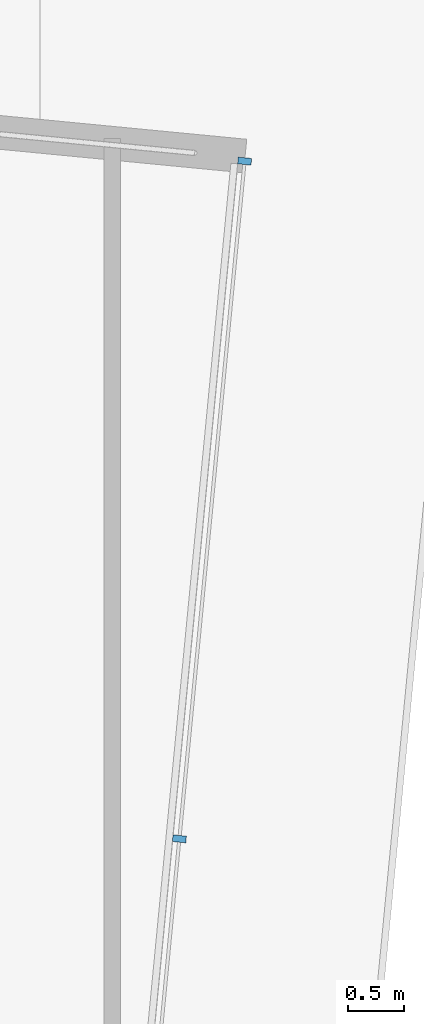
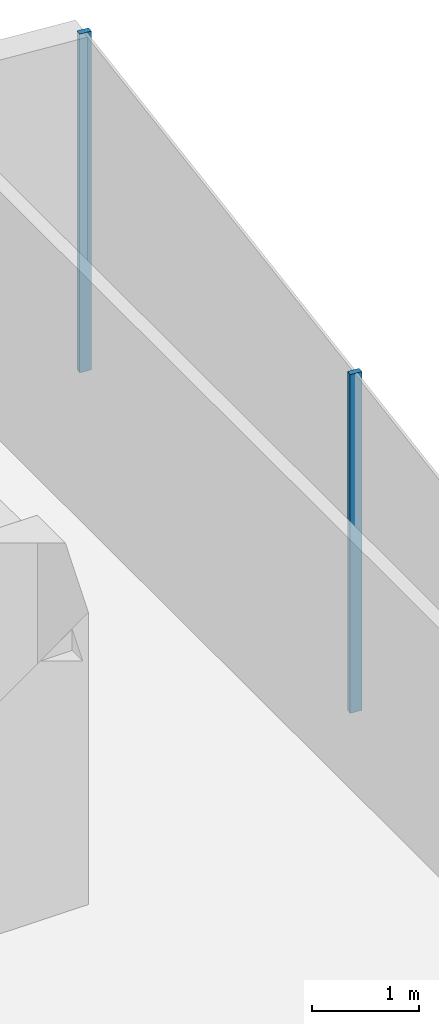
# One storey, part 23 of 31: 2 members, 1 element without a shape of its own.
"""IFC4 building model written with IfcOpenShell, lengths in metres."""

from ifc_helpers import new_model, si_unit, direction, frame, origin, origin_2d, place, context, subcontext, project, spatial, rectangle, extrude, material, layer, layer_set, material_profile, profile_set, type_object, element, aggregate, save


model = new_model("IFC4")

# Units and contexts
model_context = context("Model", 3, precision=1e-05, world=origin(), true_north=direction((0.0, 1.0)))
body_context = subcontext(model_context, "Body", "Model", "MODEL_VIEW")
ifc_project = project(units=[si_unit("LENGTHUNIT", "METRE"), si_unit("AREAUNIT", "SQUARE_METRE"), si_unit("VOLUMEUNIT", "CUBIC_METRE"), si_unit("PLANEANGLEUNIT", "RADIAN"), si_unit("MASSUNIT", "GRAM", prefix="KILO")], contexts=[model_context])

# Site, building, storey
site_placement = place(None, origin())
site = spatial("IfcSite", under=ifc_project, at=site_placement, CompositionType="ELEMENT")
building_placement = place(site_placement, origin())
building = spatial("IfcBuilding", under=site, at=building_placement, Name="Welwitschia Terrace Campus", CompositionType="ELEMENT")
storey_placement = place(building_placement, frame((0.0, 0.0, 29.0)))
storey = spatial("IfcBuildingStorey", under=building, at=storey_placement, Name="L06", CompositionType="ELEMENT", Elevation=29.0)

# Curtain wall, members
ifc_material_1 = material(Name="Bronze anodised aluminium", Category="aluminium")
ifc_layer = layer(ifc_material_1, 0.1201171875)
ifc_layer_set = layer_set([ifc_layer], Name="Bronze anodised aluminium")
curtain_wall_type = type_object("IfcCurtainWallType", Name="Curtain wall CW2 tower 6000", PredefinedType="NOTDEFINED", material=ifc_layer_set)
curtain_wall_placement = place(storey_placement, origin())
curtain_wall = element("IfcCurtainWall", 1, at=curtain_wall_placement, inside=storey, type_object=curtain_wall_type, Name="CW L06.12.0", PredefinedType="NOTDEFINED")
ifc_material_2 = material(Name="Bronze anodised aluminium", Category="aluminium")
ifc_material_profile = material_profile(ifc_material_2, rectangle(XDim=0.1201171875, YDim=0.06005859375, at=origin_2d()))
ifc_profile_set = profile_set([ifc_material_profile], Name="Bronze anodised aluminium")
member_type = type_object("IfcMemberType", Name="Mullion 60x120", PredefinedType="MULLION", material=ifc_profile_set)
member_1_placement = place(storey_placement, frame((28.199462890625, 57.01611328125, 0.0), z_axis=(0.0, 0.0, 1.0), x_axis=(-0.995396198367, 0.09584575252, 0.0)))
member_1 = element("IfcMember", 2, at=member_1_placement, type_object=member_type, Name="Mullion L06.12.0.5", PredefinedType="MULLION", context=body_context, shape_type="SweptSolid", body=[
    extrude(rectangle(XDim=0.1201171875, YDim=0.06005859375, at=origin_2d()), origin(), (0.0, 0.0, 1.0), 3.85009765625),
])
member_2_placement = place(storey_placement, frame((28.781494140625, 63.0615234375, 0.0), z_axis=(0.0, 0.0, 1.0), x_axis=(-0.995396198367, 0.09584575252, 0.0)))
member_2 = element("IfcMember", 3, at=member_2_placement, type_object=member_type, Name="Mullion L06.12.0.6", PredefinedType="MULLION", context=body_context, shape_type="SweptSolid", body=[
    extrude(rectangle(XDim=0.1201171875, YDim=0.06005859375, at=origin_2d()), origin(), (0.0, 0.0, 1.0), 3.85009765625),
])
aggregate(curtain_wall, [member_1, member_2])

save(model, "model.ifc")
